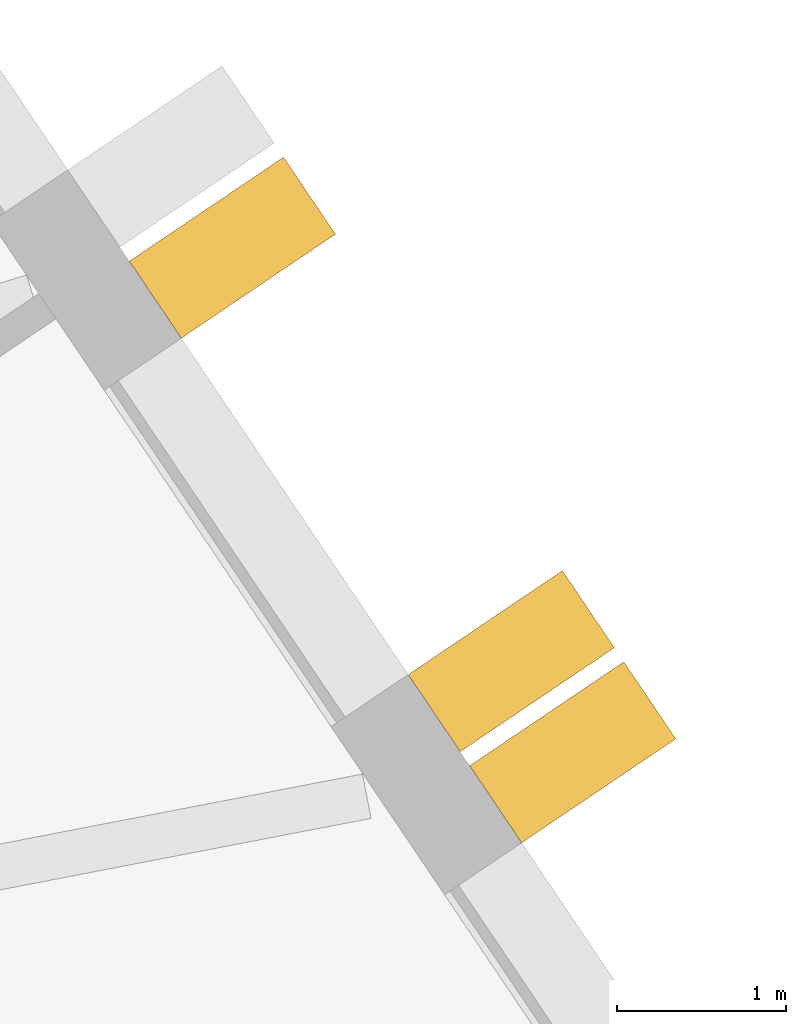
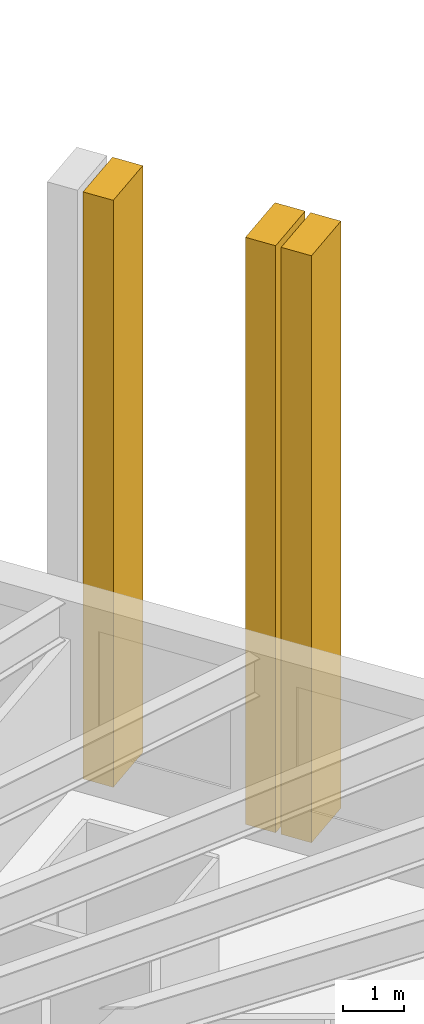
# One storey, part 13 of 13: 3 shading devices.
"""IFC4 building model written with IfcOpenShell, lengths in metres."""

from ifc_helpers import new_model, si_unit, direction, frame, origin, place, context, subcontext, project, spatial, polyline, outline, extrude, material, layer, layer_set, type_object, element, save


model = new_model("IFC4")

# Units and contexts
model_context = context("Model", 3, precision=1e-05, world=origin(), true_north=direction((0.0, 1.0)))
body_context = subcontext(model_context, "Body", "Model", "MODEL_VIEW")
ifc_project = project(units=[si_unit("LENGTHUNIT", "METRE"), si_unit("AREAUNIT", "SQUARE_METRE"), si_unit("VOLUMEUNIT", "CUBIC_METRE"), si_unit("PLANEANGLEUNIT", "RADIAN"), si_unit("MASSUNIT", "GRAM", prefix="KILO")], contexts=[model_context])

# Site, building, storey
site_placement = place(None, origin())
site = spatial("IfcSite", under=ifc_project, at=site_placement, CompositionType="ELEMENT")
building_placement = place(site_placement, origin())
building = spatial("IfcBuilding", under=site, at=building_placement, Name="Tarnside Tower", CompositionType="ELEMENT")
storey_placement = place(building_placement, frame((0.0, 0.0, 68.699951171875)))
storey = spatial("IfcBuildingStorey", under=building, at=storey_placement, Name="L14", CompositionType="ELEMENT", Elevation=68.699951171875)

# Shading devices
ifc_material = material(Name="Concrete C50/60 white precast", Category="concrete")
ifc_layer = layer(ifc_material, 0.550048828125)
ifc_layer_set = layer_set([ifc_layer], Name="Precast fin 550 x 1100")
shading_device_type = type_object("IfcShadingDeviceType", Name="Precast fin 550 x 1100", PredefinedType="USERDEFINED", material=ifc_layer_set)
for number, where, z_axis, x_axis, name in (
    (1, (31.769287109375, 6.548583984375, -0.14990234375), (0.559192903471, -0.829037572555, 0.0), (0.829037572555, 0.559192903471, 0.0), "Precast fin"),
    (2, (31.406005859375, 7.087646484375, -0.14990234375), (0.559192903471, -0.829037572555, 0.0), (0.829037572555, 0.559192903471, 0.0), "Precast fin"),
    (3, (29.75634765625, 9.533203125, -0.14990234375), (0.559192903471, -0.829037572555, 0.0), (0.829037572555, 0.559192903471, 0.0), "Precast fin"),
):
    element("IfcShadingDevice", number, at=place(storey_placement, frame(where, z_axis=z_axis, x_axis=x_axis)), inside=storey, type_object=shading_device_type, Name=name, ObjectType="FIN", PredefinedType="USERDEFINED", context=body_context, shape_type="SweptSolid", body=[
        extrude(outline(polyline([(0.0, 0.0), (1.10009765625, 0.0), (1.10009765625, 11.699951171875), (0.0, 11.699951171875), (0.0, 0.0)])), frame((0.0, 0.0, -0.27490234375)), (0.0, 0.0, 1.0), 0.550048828125),
    ])

save(model, "model.ifc")
